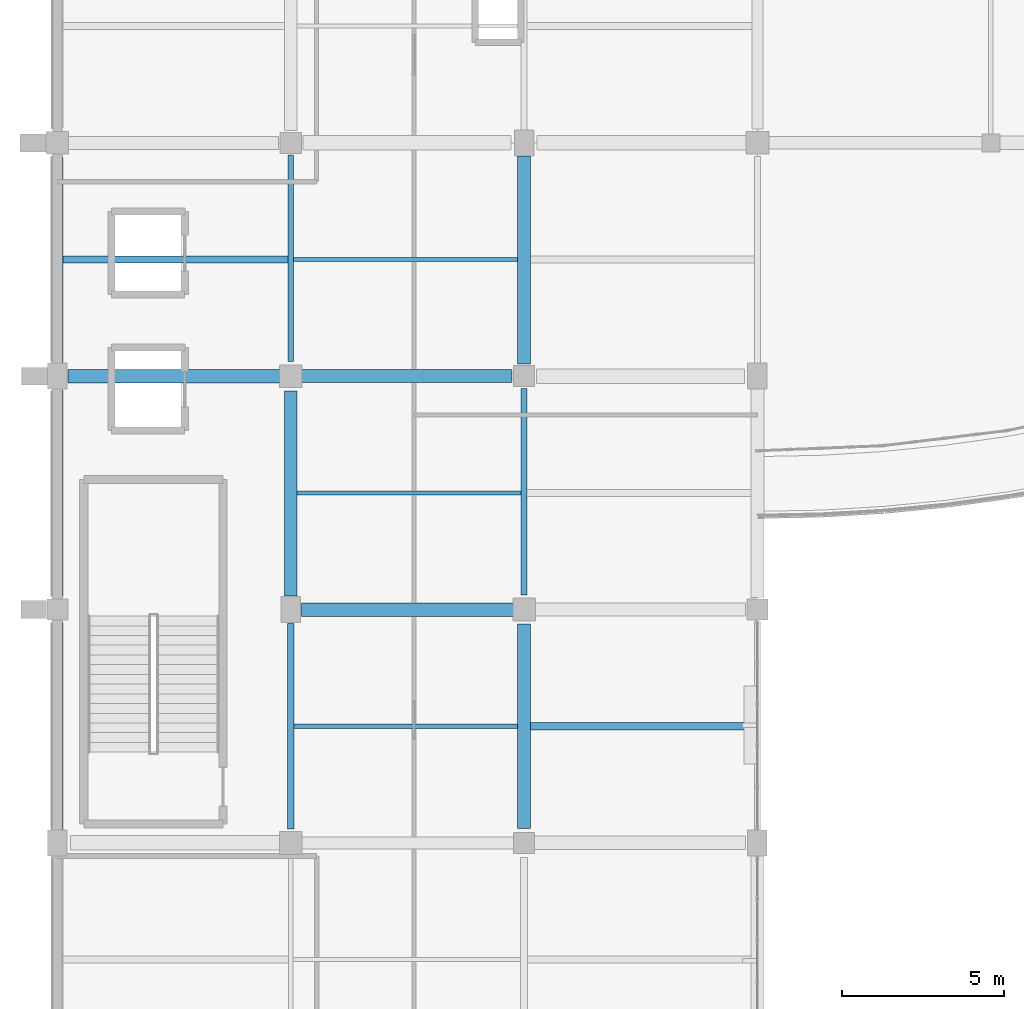
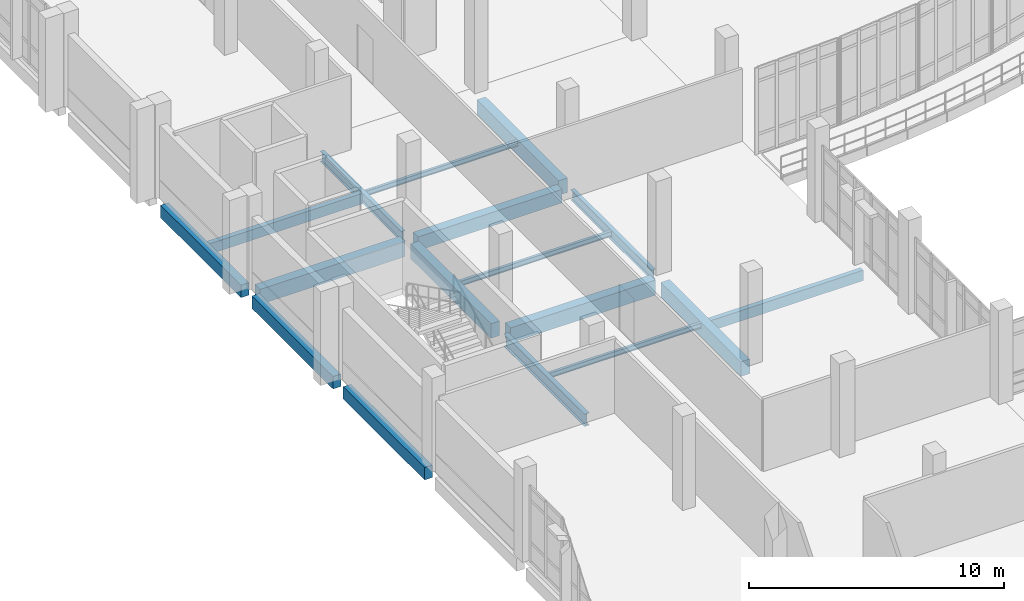
# One storey, part 28 of 124: 17 beams.
"""IFC4 building model written with IfcOpenShell, lengths in metres."""

from ifc_helpers import new_model, si_unit, direction, frame, origin, origin_2d, place, context, subcontext, project, spatial, rectangle, i_section, extrude, material, material_profile, profile_set, type_object, element, save


model = new_model("IFC4")

# Units and contexts
model_context = context("Model", 3, precision=1e-05, world=origin(), true_north=direction((0.0, 1.0)))
body_context = subcontext(model_context, "Body", "Model", "MODEL_VIEW")
ifc_project = project(units=[si_unit("LENGTHUNIT", "METRE"), si_unit("AREAUNIT", "SQUARE_METRE"), si_unit("VOLUMEUNIT", "CUBIC_METRE"), si_unit("PLANEANGLEUNIT", "RADIAN"), si_unit("MASSUNIT", "GRAM", prefix="KILO")], contexts=[model_context])

# Site, building, storey
site_placement = place(None, origin())
site = spatial("IfcSite", under=ifc_project, at=site_placement, CompositionType="ELEMENT")
building_placement = place(site_placement, origin())
building = spatial("IfcBuilding", under=site, at=building_placement, Name="Kalluvel Institute of Natural Sciences", CompositionType="ELEMENT")
storey_placement = place(building_placement, frame((0.0, 0.0, 9.89990234375)))
storey = spatial("IfcBuildingStorey", under=building, at=storey_placement, Name="L02", CompositionType="ELEMENT", Elevation=9.89990234375)

# Beams
ifc_material_1 = material(Name="Steel E350 Grade 350", Category="steel")
ifc_material_profile_1 = material_profile(ifc_material_1, i_section(OverallWidth=0.179931640625, OverallDepth=0.5, WebThickness=0.01025390625, FlangeThickness=0.01708984375, FilletRadius=0.01708984375, at=origin_2d()), Name="ISMB 500")
ifc_profile_set_1 = profile_set([ifc_material_profile_1], Name="Steel E350 Grade 350")
beam_type_1 = type_object("IfcBeamType", Name="BM-ISMB500", PredefinedType="BEAM", material=ifc_profile_set_1)
for number, where, z_axis, x_axis, name in (
    (1, (21.199951171875, 57.64990234375, -0.5498046875), (0.0, 1.0, 0.0), (-1.0, 0.0, 0.0), "L02 girder GIR-L02-NS-X212-Y572"),
    (2, (28.39990234375, 50.449951171875, -0.5498046875), (0.0, 1.0, 0.0), (-1.0, 0.0, 0.0), "L02 girder GIR-L02-NS-X284-Y500"),
):
    element("IfcBeam", number, at=place(storey_placement, frame(where, z_axis=z_axis, x_axis=x_axis)), inside=storey, type_object=beam_type_1, Name=name, PredefinedType="BEAM", context=body_context, shape_type="SweptSolid", body=[
        extrude(i_section(OverallWidth=0.179931640625, OverallDepth=0.5, WebThickness=0.01025390625, FlangeThickness=0.01708984375, FilletRadius=0.01708984375, at=origin_2d()), origin(), (0.0, 0.0, 1.0), 6.375),
    ])
ifc_material_profile_2 = material_profile(ifc_material_1, i_section(OverallWidth=0.2099609375, OverallDepth=0.60009765625, WebThickness=0.011962890625, FlangeThickness=0.020751953125, FilletRadius=0.02001953125, at=origin_2d()), Name="ISMB 600")
ifc_profile_set_2 = profile_set([ifc_material_profile_2], Name="Steel E350 Grade 350")
beam_type_2 = type_object("IfcBeamType", Name="BM-ISMB600", PredefinedType="BEAM", material=ifc_profile_set_2)
beam_1_placement = place(storey_placement, frame((21.199951171875, 43.22509765625, -0.599853515625), z_axis=(0.0, 1.0, 0.0), x_axis=(-1.0, 0.0, 0.0)))
element("IfcBeam", 3, at=beam_1_placement, inside=storey, type_object=beam_type_2, Name="L02 girder GIR-L02-NS-X212-Y428", PredefinedType="BEAM", context=body_context, shape_type="SweptSolid", body=[
    extrude(i_section(OverallWidth=0.2099609375, OverallDepth=0.60009765625, WebThickness=0.011962890625, FlangeThickness=0.020751953125, FilletRadius=0.02001953125, at=origin_2d()), origin(), (0.0, 0.0, 1.0), 6.349853515625),
])
ifc_material_2 = material(Name="Concrete M40", Category="concrete")
ifc_material_profile_3 = material_profile(ifc_material_2, rectangle(XDim=0.39990234375, YDim=0.64990234375, at=origin_2d()), Name="RCB 400x650")
ifc_profile_set_3 = profile_set([ifc_material_profile_3], Name="Concrete M40")
beam_type_3 = type_object("IfcBeamType", Name="BM-RC400x650", PredefinedType="BEAM", material=ifc_profile_set_3)
beam_2_placement = place(storey_placement, frame((21.5, 57.199951171875, -0.625), z_axis=(1.0, 0.0, 0.0), x_axis=(0.0, 1.0, 0.0)))
element("IfcBeam", 4, at=beam_2_placement, inside=storey, type_object=beam_type_3, Name="L02 girder GIR-L02-EW-X212-Y572", PredefinedType="BEAM", context=body_context, shape_type="SweptSolid", body=[
    extrude(rectangle(XDim=0.39990234375, YDim=0.64990234375, at=origin_2d()), origin(), (0.0, 0.0, 1.0), 6.52490234375),
])
ifc_material_profile_4 = material_profile(ifc_material_2, rectangle(XDim=0.39990234375, YDim=0.699951171875, at=origin_2d()), Name="RCB 400x700")
ifc_profile_set_4 = profile_set([ifc_material_profile_4], Name="Concrete M40")
beam_type_4 = type_object("IfcBeamType", Name="BM-RC400x700", PredefinedType="BEAM", material=ifc_profile_set_4)
beam_3_placement = place(storey_placement, frame((21.199951171875, 50.425048828125, -0.64990234375), z_axis=(0.0, 1.0, 0.0), x_axis=(-1.0, 0.0, 0.0)))
element("IfcBeam", 5, at=beam_3_placement, inside=storey, type_object=beam_type_4, Name="L02 girder GIR-L02-NS-X212-Y500", PredefinedType="BEAM", context=body_context, shape_type="SweptSolid", body=[
    extrude(rectangle(XDim=0.39990234375, YDim=0.699951171875, at=origin_2d()), origin(), (0.0, 0.0, 1.0), 6.324951171875),
])
beam_4_placement = place(storey_placement, frame((28.39990234375, 43.25, -0.64990234375), z_axis=(0.0, 1.0, 0.0), x_axis=(-1.0, 0.0, 0.0)))
element("IfcBeam", 6, at=beam_4_placement, inside=storey, type_object=beam_type_4, Name="L02 girder GIR-L02-NS-X284-Y428", PredefinedType="BEAM", context=body_context, shape_type="SweptSolid", body=[
    extrude(rectangle(XDim=0.39990234375, YDim=0.699951171875, at=origin_2d()), origin(), (0.0, 0.0, 1.0), 6.300048828125),
])
beam_5_placement = place(storey_placement, frame((28.39990234375, 57.574951171875, -0.64990234375), z_axis=(0.0, 1.0, 0.0), x_axis=(-1.0, 0.0, 0.0)))
element("IfcBeam", 7, at=beam_5_placement, inside=storey, type_object=beam_type_4, Name="L02 girder GIR-L02-NS-X284-Y572", PredefinedType="BEAM", context=body_context, shape_type="SweptSolid", body=[
    extrude(rectangle(XDim=0.39990234375, YDim=0.699951171875, at=origin_2d()), origin(), (0.0, 0.0, 1.0), 6.425048828125),
])
ifc_material_profile_5 = material_profile(ifc_material_2, rectangle(XDim=0.419921875, YDim=0.719970703125, at=origin_2d()), Name="RCB 420x720")
ifc_profile_set_5 = profile_set([ifc_material_profile_5], Name="Concrete M40")
beam_type_5 = type_object("IfcBeamType", Name="BM-RC420x720", PredefinedType="BEAM", material=ifc_profile_set_5)
beam_6_placement = place(storey_placement, frame((21.52490234375, 50.0, -0.659912109375), z_axis=(1.0, 0.0, 0.0), x_axis=(0.0, 1.0, 0.0)))
element("IfcBeam", 8, at=beam_6_placement, inside=storey, type_object=beam_type_5, Name="L02 girder GIR-L02-EW-X212-Y500", PredefinedType="BEAM", context=body_context, shape_type="SweptSolid", body=[
    extrude(rectangle(XDim=0.419921875, YDim=0.719970703125, at=origin_2d()), origin(), (0.0, 0.0, 1.0), 6.5751953125),
])
beam_7_placement = place(storey_placement, frame((14.324951171875, 57.199951171875, -0.659912109375), z_axis=(1.0, 0.0, 0.0), x_axis=(0.0, 1.0, 0.0)))
element("IfcBeam", 9, at=beam_7_placement, inside=storey, type_object=beam_type_5, Name="L02 girder GIR-L02-EW-X140-Y572", PredefinedType="BEAM", context=body_context, shape_type="SweptSolid", body=[
    extrude(rectangle(XDim=0.419921875, YDim=0.719970703125, at=origin_2d()), origin(), (0.0, 0.0, 1.0), 6.574951171875),
])
ifc_material_profile_6 = material_profile(ifc_material_2, rectangle(XDim=0.35009765625, YDim=0.60009765625, at=origin_2d()), Name="RCB 350x600")
ifc_profile_set_6 = profile_set([ifc_material_profile_6], Name="Concrete M40")
beam_type_6 = type_object("IfcBeamType", Name="SP-RC350x600", PredefinedType="SPANDREL", material=ifc_profile_set_6)
beam_8_placement = place(storey_placement, frame((14.0, 43.199951171875, -0.599853515625), z_axis=(0.0, 1.0, 0.0), x_axis=(-1.0, 0.0, 0.0)))
element("IfcBeam", 10, at=beam_8_placement, inside=storey, type_object=beam_type_6, Name="L02 girder GIR-L02-NS-X140-Y428", PredefinedType="SPANDREL", context=body_context, shape_type="SweptSolid", body=[
    extrude(rectangle(XDim=0.35009765625, YDim=0.60009765625, at=origin_2d()), origin(), (0.0, 0.0, 1.0), 6.400146484375),
])
beam_9_placement = place(storey_placement, frame((14.0, 50.39990234375, -0.599853515625), z_axis=(0.0, 1.0, 0.0), x_axis=(-1.0, 0.0, 0.0)))
element("IfcBeam", 11, at=beam_9_placement, inside=storey, type_object=beam_type_6, Name="L02 girder GIR-L02-NS-X140-Y500", PredefinedType="SPANDREL", context=body_context, shape_type="SweptSolid", body=[
    extrude(rectangle(XDim=0.35009765625, YDim=0.60009765625, at=origin_2d()), origin(), (0.0, 0.0, 1.0), 6.375),
])
beam_10_placement = place(storey_placement, frame((14.0, 57.625, -0.599853515625), z_axis=(0.0, 1.0, 0.0), x_axis=(-1.0, 0.0, 0.0)))
element("IfcBeam", 12, at=beam_10_placement, inside=storey, type_object=beam_type_6, Name="L02 girder GIR-L02-NS-X140-Y572", PredefinedType="SPANDREL", context=body_context, shape_type="SweptSolid", body=[
    extrude(rectangle(XDim=0.35009765625, YDim=0.60009765625, at=origin_2d()), origin(), (0.0, 0.0, 1.0), 6.324951171875),
])
ifc_material_profile_7 = material_profile(ifc_material_2, rectangle(XDim=0.219970703125, YDim=0.5, at=origin_2d()), Name="WAF 220x500")
ifc_profile_set_7 = profile_set([ifc_material_profile_7], Name="Concrete M40")
beam_type_7 = type_object("IfcBeamType", Name="WJ-220x500", PredefinedType="JOIST", material=ifc_profile_set_7)
beam_11_placement = place(storey_placement, frame((28.60009765625, 46.39990234375, -0.5498046875), z_axis=(1.0, 0.0, 0.0), x_axis=(0.0, 1.0, 0.0)))
element("IfcBeam", 13, at=beam_11_placement, inside=storey, type_object=beam_type_7, Name="L02 floor rib RIB-L02-0665", PredefinedType="JOIST", context=body_context, shape_type="SweptSolid", body=[
    extrude(rectangle(XDim=0.219970703125, YDim=0.5, at=origin_2d()), origin(), (0.0, 0.0, 1.0), 6.909912109375),
])
beam_12_placement = place(storey_placement, frame((14.175048828125, 60.800048828125, -0.5498046875), z_axis=(1.0, 0.0, 0.0), x_axis=(0.0, 1.0, 0.0)))
element("IfcBeam", 14, at=beam_12_placement, inside=storey, type_object=beam_type_7, Name="L02 floor rib RIB-L02-0668", PredefinedType="JOIST", context=body_context, shape_type="SweptSolid", body=[
    extrude(rectangle(XDim=0.219970703125, YDim=0.5, at=origin_2d()), origin(), (0.0, 0.0, 1.0), 6.93505859375),
])
ifc_material_profile_8 = material_profile(ifc_material_1, i_section(OverallWidth=0.125, OverallDepth=0.25, WebThickness=0.0068359375, FlangeThickness=0.012451171875, FilletRadius=0.012939453125, at=origin_2d()), Name="ISMB 250")
ifc_profile_set_8 = profile_set([ifc_material_profile_8], Name="Steel E350 Grade 350")
beam_type_8 = type_object("IfcBeamType", Name="WJ-ISMB250", PredefinedType="JOIST", material=ifc_profile_set_8)
beam_13_placement = place(storey_placement, frame((21.304931640625, 46.39990234375, -0.4248046875), z_axis=(1.0, 0.0, 0.0), x_axis=(0.0, 1.0, 0.0)))
element("IfcBeam", 15, at=beam_13_placement, inside=storey, type_object=beam_type_8, Name="L02 floor rib RIB-L02-0664", PredefinedType="JOIST", context=body_context, shape_type="SweptSolid", body=[
    extrude(i_section(OverallWidth=0.125, OverallDepth=0.25, WebThickness=0.0068359375, FlangeThickness=0.012451171875, FilletRadius=0.012939453125, at=origin_2d()), origin(), (0.0, 0.0, 1.0), 6.89501953125),
])
beam_14_placement = place(storey_placement, frame((21.39990234375, 53.60009765625, -0.4248046875), z_axis=(1.0, 0.0, 0.0), x_axis=(0.0, 1.0, 0.0)))
element("IfcBeam", 16, at=beam_14_placement, inside=storey, type_object=beam_type_8, Name="L02 floor rib RIB-L02-0666", PredefinedType="JOIST", context=body_context, shape_type="SweptSolid", body=[
    extrude(i_section(OverallWidth=0.125, OverallDepth=0.25, WebThickness=0.0068359375, FlangeThickness=0.012451171875, FilletRadius=0.012939453125, at=origin_2d()), origin(), (0.0, 0.0, 1.0), 6.91015625),
])
beam_15_placement = place(storey_placement, frame((21.2900390625, 60.800048828125, -0.4248046875), z_axis=(1.0, 0.0, 0.0), x_axis=(0.0, 1.0, 0.0)))
element("IfcBeam", 17, at=beam_15_placement, inside=storey, type_object=beam_type_8, Name="L02 floor rib RIB-L02-0669", PredefinedType="JOIST", context=body_context, shape_type="SweptSolid", body=[
    extrude(i_section(OverallWidth=0.125, OverallDepth=0.25, WebThickness=0.0068359375, FlangeThickness=0.012451171875, FilletRadius=0.012939453125, at=origin_2d()), origin(), (0.0, 0.0, 1.0), 6.909912109375),
])

save(model, "model.ifc")
